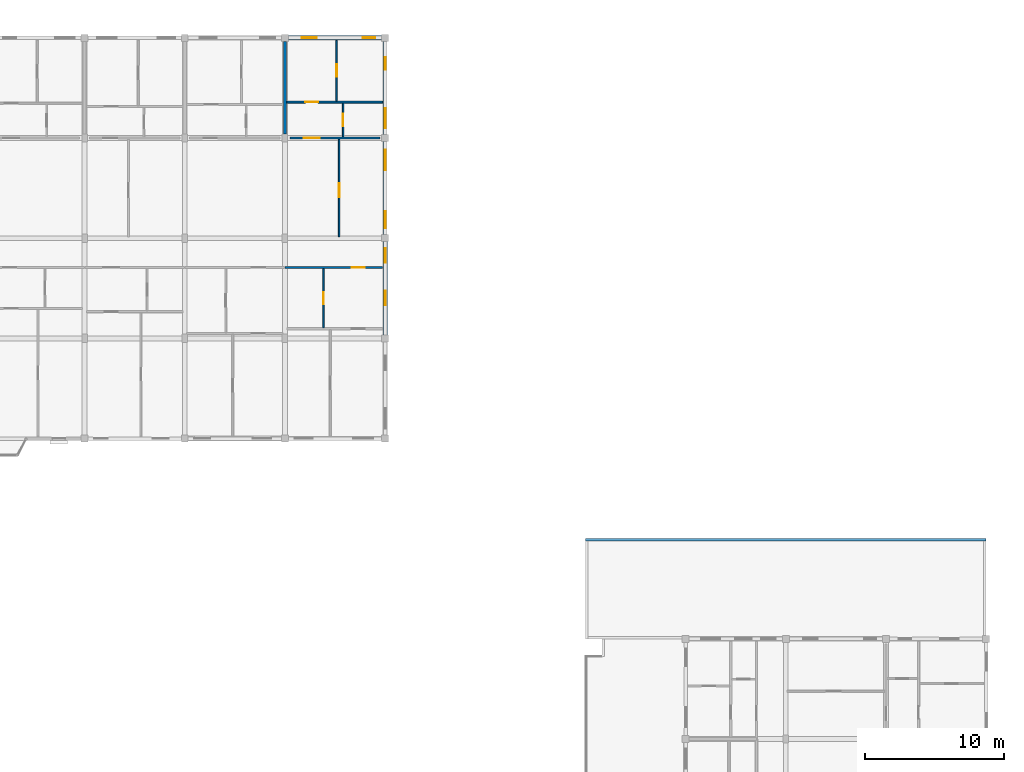
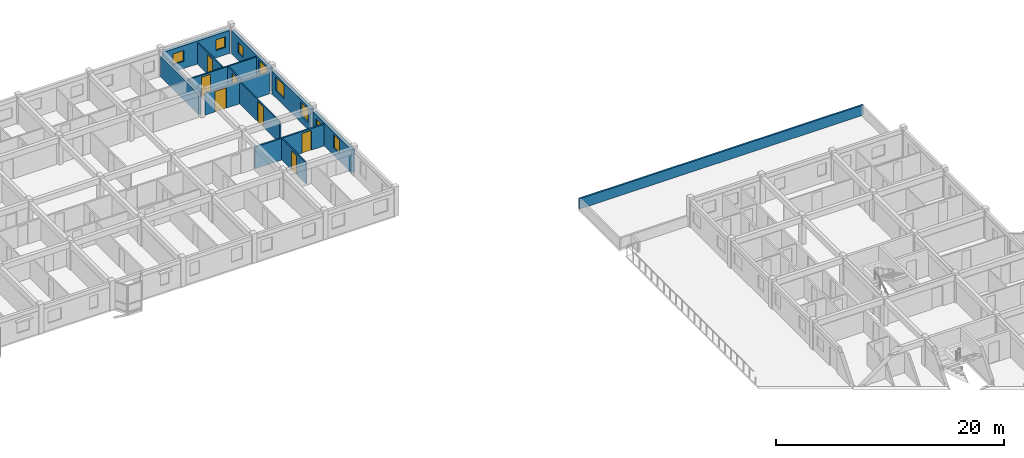
# One storey, part 65 of 70: 13 walls, 8 windows, 7 doors, 15 openings.
"""IFC4 building model written with IfcOpenShell, lengths in metres."""

from ifc_helpers import new_model, si_unit, direction, frame, frame_2d, origin, place, context, subcontext, project, spatial, rectangle, extrude, material, layer, layer_set, type_object, element, fill, save


model = new_model("IFC4")

# Units and contexts
model_context = context("Model", 3, precision=1e-05, world=origin(), true_north=direction((0.0, 1.0)))
body_context = subcontext(model_context, "Body", "Model", "MODEL_VIEW")
ifc_project = project(units=[si_unit("LENGTHUNIT", "METRE"), si_unit("AREAUNIT", "SQUARE_METRE"), si_unit("VOLUMEUNIT", "CUBIC_METRE"), si_unit("PLANEANGLEUNIT", "RADIAN"), si_unit("MASSUNIT", "GRAM", prefix="KILO"), si_unit("THERMODYNAMICTEMPERATUREUNIT", "KELVIN"), si_unit("POWERUNIT", "WATT")], contexts=[model_context])

# Site, building, storey
site_placement = place(None, origin())
site = spatial("IfcSite", under=ifc_project, at=site_placement, CompositionType="ELEMENT")
building_placement = place(site_placement, origin())
building = spatial("IfcBuilding", under=site, at=building_placement, Name="Tavuni Mirador Residences", CompositionType="ELEMENT")
storey_placement = place(building_placement, frame((0.0, 0.0, 23.39990234375)))
storey = spatial("IfcBuildingStorey", under=building, at=storey_placement, Name="L07", CompositionType="ELEMENT", Elevation=23.39990234375)

# Wall, opening, door
ifc_material_1 = material(Name="Precast concrete C40/50", Category="concrete")
ifc_layer_1 = layer(ifc_material_1, 0.1650390625, Name="Precast concrete C40/50", Category="concrete")
ifc_layer_set_1 = layer_set([ifc_layer_1], Name="Precast concrete C40/50")
wall_type_1 = type_object("IfcWallType", Name="WT-CORR165", PredefinedType="PARTITIONING", material=ifc_layer_set_1)
wall_1_placement = place(storey_placement, frame((68.419921875, 156.300048828125, 0.0), z_axis=(0.0, 0.0, 1.0), x_axis=(1.0, 0.0, 0.0)))
wall_1 = element("IfcWall", 1, at=wall_1_placement, inside=storey, type_object=wall_type_1, Name="CORW-BLK-C-L07-0-08", PredefinedType="PARTITIONING", context=body_context, shape_type="SweptSolid", body=[
    extrude(rectangle(XDim=7.005126953125, YDim=0.1650390625, at=frame_2d((3.50244140625, 0.0))), origin(), (0.0, 0.0, 1.0), 2.320068359375),
])
opening_1_placement = place(wall_1_placement, frame((4.780029296875, 0.0, 0.0)))
opening_1 = element("IfcOpeningElement", 2, at=opening_1_placement, cuts=wall_1, Name="Opening D-19", PredefinedType="OPENING", context=body_context, shape_type="SweptSolid", body=[
    extrude(rectangle(XDim=0.93994140625, YDim=2.1201171875, at=frame_2d((0.469970703125, 1.06005859375))), frame((0.0, 0.092529296875, 0.0), z_axis=(0.0, -1.0, 0.0), x_axis=(1.0, 0.0, 0.0)), (0.0, 0.0, 1.0), 0.18505859375),
])
ifc_material_2 = material(Name="Solid core iroko timber", Category="wood")
door_type_1 = type_object("IfcDoorType", Name="DT-FD60-940", OperationType="NOTDEFINED", PredefinedType="DOOR", material=ifc_material_2)
door_1_placement = place(opening_1_placement, origin())
door_1 = element("IfcDoor", 3, at=door_1_placement, inside=storey, type_object=door_type_1, Name="DR-2731", OperationType="SINGLE_SWING_RIGHT", OverallHeight=2.1201171875, OverallWidth=0.93994140625, PredefinedType="DOOR", context=body_context, shape_type="SweptSolid", body=[
    extrude(rectangle(XDim=0.93994140625, YDim=2.1201171875, at=frame_2d((0.469970703125, 1.06005859375))), frame((0.0, 0.02490234375, 0.0), z_axis=(0.0, -1.0, 0.0), x_axis=(1.0, 0.0, 0.0)), (0.0, 0.0, 1.0), 0.050048828125),
])
fill(opening_1, door_1)

wall_2_placement = place(storey_placement, frame((68.75, 165.60009765625, 0.0), z_axis=(0.0, 0.0, 1.0), x_axis=(1.0, 0.0, 0.0)))
wall_2 = element("IfcWall", 4, at=wall_2_placement, inside=storey, type_object=wall_type_1, Name="CORW-BLK-C-L07-1-08", PredefinedType="PARTITIONING", context=body_context, shape_type="SweptSolid", body=[
    extrude(rectangle(XDim=6.5, YDim=0.1650390625, at=frame_2d((3.25, 0.0))), origin(), (0.0, 0.0, 1.0), 2.320068359375),
])
opening_2_placement = place(wall_2_placement, frame((1.0, 0.0, 0.0)))
opening_2 = element("IfcOpeningElement", 5, at=opening_2_placement, cuts=wall_2, Name="Opening D-20", PredefinedType="OPENING", context=body_context, shape_type="SweptSolid", body=[
    extrude(rectangle(XDim=1.139892578125, YDim=2.179931640625, at=frame_2d((0.56982421875, 1.08984375))), frame((0.0, 0.092529296875, 0.0), z_axis=(0.0, -1.0, 0.0), x_axis=(1.0, 0.0, 0.0)), (0.0, 0.0, 1.0), 0.18505859375),
])
door_type_2 = type_object("IfcDoorType", Name="DT-FD60-1140", OperationType="NOTDEFINED", PredefinedType="DOOR", material=ifc_material_2)
door_2_placement = place(opening_2_placement, origin())
door_2 = element("IfcDoor", 6, at=door_2_placement, inside=storey, type_object=door_type_2, Name="DR-2738", OperationType="SINGLE_SWING_LEFT", OverallHeight=2.179931640625, OverallWidth=1.139892578125, PredefinedType="DOOR", context=body_context, shape_type="SweptSolid", body=[
    extrude(rectangle(XDim=1.139892578125, YDim=2.179931640625, at=frame_2d((0.56982421875, 1.08984375))), frame((0.0, 0.02490234375, 0.0), z_axis=(0.0, -1.0, 0.0), x_axis=(1.0, 0.0, 0.0)), (0.0, 0.0, 1.0), 0.050048828125),
])
fill(opening_2, door_2)

# Wall, openings, windows
ifc_material_3 = material(Name="Sgraffito lime-rendered precast concrete C40/50", Category="concrete")
ifc_layer_2 = layer(ifc_material_3, 0.2900390625, Name="Sgraffito lime-rendered precast concrete C40/50", Category="concrete")
ifc_layer_set_2 = layer_set([ifc_layer_2], Name="Sgraffito lime-rendered precast concrete C40/50")
wall_type_2 = type_object("IfcWallType", Name="WT-EXT-PC290", PredefinedType="SOLIDWALL", material=ifc_layer_set_2)
wall_3_placement = place(storey_placement, frame((75.60009765625, 165.85009765625, 0.0), z_axis=(0.0, 0.0, 1.0), x_axis=(0.0, 1.0, 0.0)))
wall_3 = element("IfcWall", 7, at=wall_3_placement, inside=storey, type_object=wall_type_2, Name="EW-BLK-C-L07-E03", PredefinedType="SOLIDWALL", context=body_context, shape_type="SweptSolid", body=[
    extrude(rectangle(XDim=6.699951171875, YDim=0.2900390625, at=frame_2d((3.35009765625, 0.0))), origin(), (0.0, 0.0, 1.0), 2.455078125),
])
opening_3_placement = place(wall_3_placement, frame((0.449951171875, 0.0, 0.780029296875)))
opening_3 = element("IfcOpeningElement", 8, at=opening_3_placement, cuts=wall_3, Name="Opening WN-30", PredefinedType="OPENING", context=body_context, shape_type="SweptSolid", body=[
    extrude(rectangle(XDim=1.449951171875, YDim=1.43994140625, at=frame_2d((0.72509765625, 0.719970703125))), frame((0.0, 0.155029296875, 0.0), z_axis=(0.0, -1.0, 0.0), x_axis=(1.0, 0.0, 0.0)), (0.0, 0.0, 1.0), 0.31005859375),
])
opening_4_placement = place(wall_3_placement, frame((4.64990234375, 0.0, 0.780029296875)))
opening_4 = element("IfcOpeningElement", 9, at=opening_4_placement, cuts=wall_3, Name="Opening WN-02", PredefinedType="OPENING", context=body_context, shape_type="SweptSolid", body=[
    extrude(rectangle(XDim=0.919921875, YDim=1.14990234375, at=frame_2d((0.4599609375, 0.574951171875))), frame((0.0, 0.155029296875, 0.0), z_axis=(0.0, -1.0, 0.0), x_axis=(1.0, 0.0, 0.0)), (0.0, 0.0, 1.0), 0.31005859375),
])
ifc_material_4 = material(Name="Laminated solar-control glass", Category="glass")
window_type_1 = type_object("IfcWindowType", Name="WNT-02", PartitioningType="SINGLE_PANEL", PredefinedType="WINDOW", material=ifc_material_4)
window_1_placement = place(opening_4_placement, origin())
window_1 = element("IfcWindow", 10, at=window_1_placement, inside=storey, type_object=window_type_1, Name="WIN-1163", OverallHeight=1.14990234375, OverallWidth=0.919921875, PartitioningType="SINGLE_PANEL", PredefinedType="WINDOW", context=body_context, shape_type="SweptSolid", body=[
    extrude(rectangle(XDim=0.919921875, YDim=1.14990234375, at=frame_2d((0.4599609375, 0.574951171875))), frame((0.0, 0.030029296875, 0.0), z_axis=(0.0, -1.0, 0.0), x_axis=(1.0, 0.0, 0.0)), (0.0, 0.0, 1.0), 0.06005859375),
])
fill(opening_4, window_1)
window_type_2 = type_object("IfcWindowType", Name="WNT-30", PartitioningType="SINGLE_PANEL", PredefinedType="WINDOW", material=ifc_material_4)
window_2_placement = place(opening_3_placement, origin())
window_2 = element("IfcWindow", 11, at=window_2_placement, inside=storey, type_object=window_type_2, Name="WIN-1162", OverallHeight=1.43994140625, OverallWidth=1.449951171875, PartitioningType="SINGLE_PANEL", PredefinedType="WINDOW", context=body_context, shape_type="SweptSolid", body=[
    extrude(rectangle(XDim=1.449951171875, YDim=1.43994140625, at=frame_2d((0.72509765625, 0.719970703125))), frame((0.0, 0.030029296875, 0.0), z_axis=(0.0, -1.0, 0.0), x_axis=(1.0, 0.0, 0.0)), (0.0, 0.0, 1.0), 0.06005859375),
])
fill(opening_3, window_2)

ifc_layer_3 = layer(ifc_material_3, 0.304931640625, Name="Sgraffito lime-rendered precast concrete C40/50", Category="concrete")
ifc_layer_set_3 = layer_set([ifc_layer_3], Name="Sgraffito lime-rendered precast concrete C40/50")
wall_type_3 = type_object("IfcWallType", Name="WT-EXT-PC305", PredefinedType="SOLIDWALL", material=ifc_layer_set_3)
wall_4_placement = place(storey_placement, frame((75.60009765625, 158.64990234375, 0.0), z_axis=(0.0, 0.0, 1.0), x_axis=(0.0, 1.0, 0.0)))
wall_4 = element("IfcWall", 12, at=wall_4_placement, inside=storey, type_object=wall_type_3, Name="EW-BLK-C-L07-E02", PredefinedType="SOLIDWALL", context=body_context, shape_type="SweptSolid", body=[
    extrude(rectangle(XDim=6.7001953125, YDim=0.304931640625, at=frame_2d((3.35009765625, 0.0))), origin(), (0.0, 0.0, 1.0), 2.455078125),
])
opening_5_placement = place(wall_4_placement, frame((0.449951171875, 0.0, 0.780029296875)))
opening_5 = element("IfcOpeningElement", 13, at=opening_5_placement, cuts=wall_4, Name="Opening WN-28", PredefinedType="OPENING", context=body_context, shape_type="SweptSolid", body=[
    extrude(rectangle(XDim=1.25, YDim=1.43994140625, at=frame_2d((0.625, 0.719970703125))), frame((0.0, 0.16259765625, 0.0), z_axis=(0.0, -1.0, 0.0), x_axis=(1.0, 0.0, 0.0)), (0.0, 0.0, 1.0), 0.324951171875),
])
opening_6_placement = place(wall_4_placement, frame((4.64990234375, 0.0, 0.780029296875)))
opening_6 = element("IfcOpeningElement", 14, at=opening_6_placement, cuts=wall_4, Name="Opening WN-30", PredefinedType="OPENING", context=body_context, shape_type="SweptSolid", body=[
    extrude(rectangle(XDim=1.449951171875, YDim=1.43994140625, at=frame_2d((0.72509765625, 0.719970703125))), frame((0.0, 0.16259765625, 0.0), z_axis=(0.0, -1.0, 0.0), x_axis=(1.0, 0.0, 0.0)), (0.0, 0.0, 1.0), 0.324951171875),
])
window_type_3 = type_object("IfcWindowType", Name="WNT-28", PartitioningType="SINGLE_PANEL", PredefinedType="WINDOW", material=ifc_material_4)
window_3_placement = place(opening_5_placement, origin())
window_3 = element("IfcWindow", 15, at=window_3_placement, inside=storey, type_object=window_type_3, Name="WIN-1160", OverallHeight=1.43994140625, OverallWidth=1.25, PartitioningType="SINGLE_PANEL", PredefinedType="WINDOW", context=body_context, shape_type="SweptSolid", body=[
    extrude(rectangle(XDim=1.25, YDim=1.43994140625, at=frame_2d((0.625, 0.719970703125))), frame((0.0, 0.030029296875, 0.0), z_axis=(0.0, -1.0, 0.0), x_axis=(1.0, 0.0, 0.0)), (0.0, 0.0, 1.0), 0.06005859375),
])
fill(opening_5, window_3)
window_4_placement = place(opening_6_placement, origin())
window_4 = element("IfcWindow", 16, at=window_4_placement, inside=storey, type_object=window_type_2, Name="WIN-1161", OverallHeight=1.43994140625, OverallWidth=1.449951171875, PartitioningType="SINGLE_PANEL", PredefinedType="WINDOW", context=body_context, shape_type="SweptSolid", body=[
    extrude(rectangle(XDim=1.449951171875, YDim=1.43994140625, at=frame_2d((0.72509765625, 0.719970703125))), frame((0.0, 0.030029296875, 0.0), z_axis=(0.0, -1.0, 0.0), x_axis=(1.0, 0.0, 0.0)), (0.0, 0.0, 1.0), 0.06005859375),
])
fill(opening_6, window_4)

ifc_layer_4 = layer(ifc_material_3, 0.31494140625, Name="Sgraffito lime-rendered precast concrete C40/50", Category="concrete")
ifc_layer_set_4 = layer_set([ifc_layer_4], Name="Sgraffito lime-rendered precast concrete C40/50")
wall_type_4 = type_object("IfcWallType", Name="WT-EXT-PC315", PredefinedType="SOLIDWALL", material=ifc_layer_set_4)
wall_5_placement = place(storey_placement, frame((75.60009765625, 151.449951171875, 0.0), z_axis=(0.0, 0.0, 1.0), x_axis=(0.0, 1.0, 0.0)))
wall_5 = element("IfcWall", 17, at=wall_5_placement, inside=storey, type_object=wall_type_4, Name="EW-BLK-C-L07-E01", PredefinedType="SOLIDWALL", context=body_context, shape_type="SweptSolid", body=[
    extrude(rectangle(XDim=6.699951171875, YDim=0.31494140625, at=frame_2d((3.35009765625, 0.0))), origin(), (0.0, 0.0, 1.0), 2.455078125),
])
opening_7_placement = place(wall_5_placement, frame((2.1201171875, 0.0, 0.780029296875)))
opening_7 = element("IfcOpeningElement", 18, at=opening_7_placement, cuts=wall_5, Name="Opening WN-26", PredefinedType="OPENING", context=body_context, shape_type="SweptSolid", body=[
    extrude(rectangle(XDim=1.050048828125, YDim=1.43994140625, at=frame_2d((0.52490234375, 0.719970703125))), frame((0.0, 0.16748046875, 0.0), z_axis=(0.0, -1.0, 0.0), x_axis=(1.0, 0.0, 0.0)), (0.0, 0.0, 1.0), 0.3349609375),
])
opening_8_placement = place(wall_5_placement, frame((5.18505859375, 0.0, 0.780029296875)))
opening_8 = element("IfcOpeningElement", 19, at=opening_8_placement, cuts=wall_5, Name="Opening WN-11", PredefinedType="OPENING", context=body_context, shape_type="SweptSolid", body=[
    extrude(rectangle(XDim=1.0400390625, YDim=1.260009765625, at=frame_2d((0.52001953125, 0.6298828125))), frame((0.0, 0.16748046875, 0.0), z_axis=(0.0, -1.0, 0.0), x_axis=(1.0, 0.0, 0.0)), (0.0, 0.0, 1.0), 0.3349609375),
])
window_type_4 = type_object("IfcWindowType", Name="WNT-11", PartitioningType="SINGLE_PANEL", PredefinedType="WINDOW", material=ifc_material_4)
window_5_placement = place(opening_8_placement, origin())
window_5 = element("IfcWindow", 20, at=window_5_placement, inside=storey, type_object=window_type_4, Name="WIN-1159", OverallHeight=1.260009765625, OverallWidth=1.0400390625, PartitioningType="SINGLE_PANEL", PredefinedType="WINDOW", context=body_context, shape_type="SweptSolid", body=[
    extrude(rectangle(XDim=1.0400390625, YDim=1.260009765625, at=frame_2d((0.52001953125, 0.6298828125))), frame((0.0, 0.030029296875, 0.0), z_axis=(0.0, -1.0, 0.0), x_axis=(1.0, 0.0, 0.0)), (0.0, 0.0, 1.0), 0.06005859375),
])
fill(opening_8, window_5)
window_type_5 = type_object("IfcWindowType", Name="WNT-26", PartitioningType="SINGLE_PANEL", PredefinedType="WINDOW", material=ifc_material_4)
window_6_placement = place(opening_7_placement, origin())
window_6 = element("IfcWindow", 21, at=window_6_placement, inside=storey, type_object=window_type_5, Name="WIN-1158", OverallHeight=1.43994140625, OverallWidth=1.050048828125, PartitioningType="SINGLE_PANEL", PredefinedType="WINDOW", context=body_context, shape_type="SweptSolid", body=[
    extrude(rectangle(XDim=1.050048828125, YDim=1.43994140625, at=frame_2d((0.52490234375, 0.719970703125))), frame((0.0, 0.030029296875, 0.0), z_axis=(0.0, -1.0, 0.0), x_axis=(1.0, 0.0, 0.0)), (0.0, 0.0, 1.0), 0.06005859375),
])
fill(opening_7, window_6)

wall_6_placement = place(storey_placement, frame((75.35009765625, 172.800048828125, 0.0), z_axis=(0.0, 0.0, 1.0), x_axis=(-1.0, 0.0, 0.0)))
wall_6 = element("IfcWall", 22, at=wall_6_placement, inside=storey, type_object=wall_type_4, Name="EW-BLK-C-L07-N08", PredefinedType="SOLIDWALL", context=body_context, shape_type="SweptSolid", body=[
    extrude(rectangle(XDim=6.7001953125, YDim=0.31494140625, at=frame_2d((3.35009765625, 0.0))), origin(), (0.0, 0.0, 1.0), 2.455078125),
])
opening_9_placement = place(wall_6_placement, frame((0.449951171875, 0.0, 0.780029296875)))
opening_9 = element("IfcOpeningElement", 23, at=opening_9_placement, cuts=wall_6, Name="Opening WN-02", PredefinedType="OPENING", context=body_context, shape_type="SweptSolid", body=[
    extrude(rectangle(XDim=0.919921875, YDim=1.14990234375, at=frame_2d((0.4599609375, 0.574951171875))), frame((0.0, 0.16748046875, 0.0), z_axis=(0.0, -1.0, 0.0), x_axis=(1.0, 0.0, 0.0)), (0.0, 0.0, 1.0), 0.3349609375),
])
opening_10_placement = place(wall_6_placement, frame((4.64990234375, 0.0, 0.780029296875)))
opening_10 = element("IfcOpeningElement", 24, at=opening_10_placement, cuts=wall_6, Name="Opening WN-04", PredefinedType="OPENING", context=body_context, shape_type="SweptSolid", body=[
    extrude(rectangle(XDim=1.080078125, YDim=1.14990234375, at=frame_2d((0.5400390625, 0.574951171875))), frame((0.0, 0.16748046875, 0.0), z_axis=(0.0, -1.0, 0.0), x_axis=(1.0, 0.0, 0.0)), (0.0, 0.0, 1.0), 0.3349609375),
])
window_7_placement = place(opening_9_placement, origin())
window_7 = element("IfcWindow", 25, at=window_7_placement, inside=storey, type_object=window_type_1, Name="WIN-1164", OverallHeight=1.14990234375, OverallWidth=0.919921875, PartitioningType="SINGLE_PANEL", PredefinedType="WINDOW", context=body_context, shape_type="SweptSolid", body=[
    extrude(rectangle(XDim=0.919921875, YDim=1.14990234375, at=frame_2d((0.4599609375, 0.574951171875))), frame((0.0, 0.030029296875, 0.0), z_axis=(0.0, -1.0, 0.0), x_axis=(1.0, 0.0, 0.0)), (0.0, 0.0, 1.0), 0.06005859375),
])
fill(opening_9, window_7)
window_type_6 = type_object("IfcWindowType", Name="WNT-04", PartitioningType="SINGLE_PANEL", PredefinedType="WINDOW", material=ifc_material_4)
window_8_placement = place(opening_10_placement, origin())
window_8 = element("IfcWindow", 26, at=window_8_placement, inside=storey, type_object=window_type_6, Name="WIN-1165", OverallHeight=1.14990234375, OverallWidth=1.080078125, PartitioningType="SINGLE_PANEL", PredefinedType="WINDOW", context=body_context, shape_type="SweptSolid", body=[
    extrude(rectangle(XDim=1.080078125, YDim=1.14990234375, at=frame_2d((0.5400390625, 0.574951171875))), frame((0.0, 0.030029296875, 0.0), z_axis=(0.0, -1.0, 0.0), x_axis=(1.0, 0.0, 0.0)), (0.0, 0.0, 1.0), 0.06005859375),
])
fill(opening_10, window_8)

# Wall
ifc_layer_5 = layer(ifc_material_1, 0.175048828125, Name="Precast concrete C40/50", Category="concrete")
ifc_layer_set_5 = layer_set([ifc_layer_5], Name="Precast concrete C40/50")
wall_type_5 = type_object("IfcWallType", Name="WT-PAR175", PredefinedType="PARAPET", material=ifc_layer_set_5)
wall_7_placement = place(storey_placement, frame((90.0, 136.71240234375, 0.0), z_axis=(0.0, 0.0, 1.0), x_axis=(1.0, 0.0, 0.0)))
element("IfcWall", 27, at=wall_7_placement, inside=storey, type_object=wall_type_5, Name="Setback roof parapet ROOF-D-L07-N N", PredefinedType="PARAPET", context=body_context, shape_type="SweptSolid", body=[
    extrude(rectangle(XDim=28.800048828125, YDim=0.175048828125, at=frame_2d((14.39990234375, 0.0))), origin(), (0.0, 0.0, 1.0), 1.10009765625),
])

# Wall, opening, door
ifc_material_5 = material(Name="Acoustic gypsum and concrete block partition", Category="concrete")
ifc_layer_6 = layer(ifc_material_5, 0.094970703125, Name="Acoustic gypsum and concrete block partition", Category="concrete")
ifc_layer_set_6 = layer_set([ifc_layer_6], Name="Acoustic gypsum and concrete block partition")
wall_type_6 = type_object("IfcWallType", Name="WT-PART095", PredefinedType="PARTITIONING", material=ifc_layer_set_6)
wall_8_placement = place(storey_placement, frame((71.179931640625, 151.9599609375, 0.0), z_axis=(0.0, 0.0, 1.0), x_axis=(0.0, 1.0, 0.0)))
wall_8 = element("IfcWall", 28, at=wall_8_placement, inside=storey, type_object=wall_type_6, Name="PW-BLK-C-L07-S08-IN1", PredefinedType="PARTITIONING", context=body_context, shape_type="SweptSolid", body=[
    extrude(rectangle(XDim=4.25, YDim=0.094970703125, at=frame_2d((2.125, 0.0))), origin(), (0.0, 0.0, 1.0), 2.320068359375),
])
opening_11_placement = place(wall_8_placement, frame((1.68994140625, 0.0, 0.0)))
opening_11 = element("IfcOpeningElement", 29, at=opening_11_placement, cuts=wall_8, Name="Opening D-10", PredefinedType="OPENING", context=body_context, shape_type="SweptSolid", body=[
    extrude(rectangle(XDim=0.8701171875, YDim=2.050048828125, at=frame_2d((0.43505859375, 1.02490234375))), frame((0.0, 0.0576171875, 0.0), z_axis=(0.0, -1.0, 0.0), x_axis=(1.0, 0.0, 0.0)), (0.0, 0.0, 1.0), 0.114990234375),
])
door_type_3 = type_object("IfcDoorType", Name="DT-WC870", OperationType="NOTDEFINED", PredefinedType="DOOR", material=ifc_material_2)
door_3_placement = place(opening_11_placement, origin())
door_3 = element("IfcDoor", 30, at=door_3_placement, inside=storey, type_object=door_type_3, Name="DR-4067", OperationType="SINGLE_SWING_RIGHT", OverallHeight=2.050048828125, OverallWidth=0.8701171875, PredefinedType="DOOR", context=body_context, shape_type="SweptSolid", body=[
    extrude(rectangle(XDim=0.8701171875, YDim=2.050048828125, at=frame_2d((0.43505859375, 1.02490234375))), frame((0.0, 0.02490234375, 0.0), z_axis=(0.0, -1.0, 0.0), x_axis=(1.0, 0.0, 0.0)), (0.0, 0.0, 1.0), 0.050048828125),
])
fill(opening_11, door_3)

ifc_layer_7 = layer(ifc_material_5, 0.10498046875, Name="Acoustic gypsum and concrete block partition", Category="concrete")
ifc_layer_set_7 = layer_set([ifc_layer_7], Name="Acoustic gypsum and concrete block partition")
wall_type_7 = type_object("IfcWallType", Name="WT-PART105", PredefinedType="PARTITIONING", material=ifc_layer_set_7)
wall_9_placement = place(storey_placement, frame((72.580078125, 165.68994140625, 0.0), z_axis=(0.0, 0.0, 1.0), x_axis=(0.0, 1.0, 0.0)))
wall_9 = element("IfcWall", 31, at=wall_9_placement, inside=storey, type_object=wall_type_7, Name="PW-BLK-C-L07-N08-IN1", PredefinedType="PARTITIONING", context=body_context, shape_type="SweptSolid", body=[
    extrude(rectangle(XDim=2.420166015625, YDim=0.10498046875, at=frame_2d((1.2099609375, 0.0))), origin(), (0.0, 0.0, 1.0), 2.320068359375),
])
opening_12_placement = place(wall_9_placement, frame((0.760009765625, 0.0, 0.0)))
opening_12 = element("IfcOpeningElement", 32, at=opening_12_placement, cuts=wall_9, Name="Opening D-09", PredefinedType="OPENING", context=body_context, shape_type="SweptSolid", body=[
    extrude(rectangle(XDim=0.89990234375, YDim=2.050048828125, at=frame_2d((0.449951171875, 1.02490234375))), frame((0.0, 0.0625, 0.0), z_axis=(0.0, -1.0, 0.0), x_axis=(1.0, 0.0, 0.0)), (0.0, 0.0, 1.0), 0.125),
])
door_type_4 = type_object("IfcDoorType", Name="DT-WC900", OperationType="NOTDEFINED", PredefinedType="DOOR", material=ifc_material_2)
door_4_placement = place(opening_12_placement, origin())
door_4 = element("IfcDoor", 33, at=door_4_placement, inside=storey, type_object=door_type_4, Name="DR-4070", OperationType="SINGLE_SWING_LEFT", OverallHeight=2.050048828125, OverallWidth=0.89990234375, PredefinedType="DOOR", context=body_context, shape_type="SweptSolid", body=[
    extrude(rectangle(XDim=0.89990234375, YDim=2.050048828125, at=frame_2d((0.449951171875, 1.02490234375))), frame((0.0, 0.02490234375, 0.0), z_axis=(0.0, -1.0, 0.0), x_axis=(1.0, 0.0, 0.0)), (0.0, 0.0, 1.0), 0.050048828125),
])
fill(opening_12, door_4)

ifc_layer_8 = layer(ifc_material_5, 0.114990234375, Name="Acoustic gypsum and concrete block partition", Category="concrete")
ifc_layer_set_8 = layer_set([ifc_layer_8], Name="Acoustic gypsum and concrete block partition")
wall_type_8 = type_object("IfcWallType", Name="WT-PART115", PredefinedType="PARTITIONING", material=ifc_layer_set_8)
wall_10_placement = place(storey_placement, frame((72.300048828125, 158.489990234375, 0.0), z_axis=(0.0, 0.0, 1.0), x_axis=(0.0, 1.0, 0.0)))
wall_10 = element("IfcWall", 34, at=wall_10_placement, inside=storey, type_object=wall_type_8, Name="PW-SPN-BLK-C-L07-08", PredefinedType="PARTITIONING", context=body_context, shape_type="SweptSolid", body=[
    extrude(rectangle(XDim=7.02001953125, YDim=0.114990234375, at=frame_2d((3.510009765625, 0.0))), origin(), (0.0, 0.0, 1.0), 2.320068359375),
])
opening_13_placement = place(wall_10_placement, frame((2.85009765625, 0.0, 0.0)))
opening_13 = element("IfcOpeningElement", 35, at=opening_13_placement, cuts=wall_10, Name="Opening D-13", PredefinedType="OPENING", context=body_context, shape_type="SweptSolid", body=[
    extrude(rectangle(XDim=1.02001953125, YDim=2.14990234375, at=frame_2d((0.510009765625, 1.074951171875))), frame((0.0, 0.0673828125, 0.0), z_axis=(0.0, -1.0, 0.0), x_axis=(1.0, 0.0, 0.0)), (0.0, 0.0, 1.0), 0.135009765625),
])
door_type_5 = type_object("IfcDoorType", Name="DT-MTG1020", OperationType="NOTDEFINED", PredefinedType="DOOR", material=ifc_material_2)
door_5_placement = place(opening_13_placement, origin())
door_5 = element("IfcDoor", 36, at=door_5_placement, inside=storey, type_object=door_type_5, Name="DR-4065", OperationType="SINGLE_SWING_RIGHT", OverallHeight=2.14990234375, OverallWidth=1.02001953125, PredefinedType="DOOR", context=body_context, shape_type="SweptSolid", body=[
    extrude(rectangle(XDim=1.02001953125, YDim=2.14990234375, at=frame_2d((0.510009765625, 1.074951171875))), frame((0.0, 0.02490234375, 0.0), z_axis=(0.0, -1.0, 0.0), x_axis=(1.0, 0.0, 0.0)), (0.0, 0.0, 1.0), 0.050048828125),
])
fill(opening_13, door_5)

wall_11_placement = place(storey_placement, frame((72.1201171875, 168.25, 0.0), z_axis=(0.0, 0.0, 1.0), x_axis=(0.0, 1.0, 0.0)))
wall_11 = element("IfcWall", 37, at=wall_11_placement, inside=storey, type_object=wall_type_8, Name="PW-BLK-C-L07-N08-OUT", PredefinedType="PARTITIONING", context=body_context, shape_type="SweptSolid", body=[
    extrude(rectangle(XDim=4.375, YDim=0.114990234375, at=frame_2d((2.1875, 0.0))), origin(), (0.0, 0.0, 1.0), 2.320068359375),
])
opening_14_placement = place(wall_11_placement, frame((1.737548828125, 0.0, 0.0)))
opening_14 = element("IfcOpeningElement", 38, at=opening_14_placement, cuts=wall_11, Name="Opening D-07", PredefinedType="OPENING", context=body_context, shape_type="SweptSolid", body=[
    extrude(rectangle(XDim=0.89990234375, YDim=2.10009765625, at=frame_2d((0.449951171875, 1.050048828125))), frame((0.0, 0.0673828125, 0.0), z_axis=(0.0, -1.0, 0.0), x_axis=(1.0, 0.0, 0.0)), (0.0, 0.0, 1.0), 0.135009765625),
])
door_type_6 = type_object("IfcDoorType", Name="DT-BED900", OperationType="NOTDEFINED", PredefinedType="DOOR", material=ifc_material_2)
door_6_placement = place(opening_14_placement, origin())
door_6 = element("IfcDoor", 39, at=door_6_placement, inside=storey, type_object=door_type_6, Name="DR-4069", OperationType="SINGLE_SWING_RIGHT", OverallHeight=2.10009765625, OverallWidth=0.89990234375, PredefinedType="DOOR", context=body_context, shape_type="SweptSolid", body=[
    extrude(rectangle(XDim=0.89990234375, YDim=2.10009765625, at=frame_2d((0.449951171875, 1.050048828125))), frame((0.0, 0.02490234375, 0.0), z_axis=(0.0, -1.0, 0.0), x_axis=(1.0, 0.0, 0.0)), (0.0, 0.0, 1.0), 0.050048828125),
])
fill(opening_14, door_6)

ifc_layer_9 = layer(ifc_material_5, 0.139892578125, Name="Acoustic gypsum and concrete block partition", Category="concrete")
ifc_layer_set_9 = layer_set([ifc_layer_9], Name="Acoustic gypsum and concrete block partition")
wall_type_9 = type_object("IfcWallType", Name="WT-PART140", PredefinedType="PARTITIONING", material=ifc_layer_set_9)
wall_12_placement = place(storey_placement, frame((68.5400390625, 168.179931640625, 0.0), z_axis=(0.0, 0.0, 1.0), x_axis=(1.0, 0.0, 0.0)))
wall_12 = element("IfcWall", 40, at=wall_12_placement, inside=storey, type_object=wall_type_9, Name="PW-BLK-C-L07-N08-MID", PredefinedType="PARTITIONING", context=body_context, shape_type="SweptSolid", body=[
    extrude(rectangle(XDim=6.885009765625, YDim=0.139892578125, at=frame_2d((3.4423828125, 0.0))), origin(), (0.0, 0.0, 1.0), 2.320068359375),
])
opening_15_placement = place(wall_12_placement, frame((1.31005859375, 0.0, 0.0)))
opening_15 = element("IfcOpeningElement", 41, at=opening_15_placement, cuts=wall_12, Name="Opening D-05", PredefinedType="OPENING", context=body_context, shape_type="SweptSolid", body=[
    extrude(rectangle(XDim=0.949951171875, YDim=2.10009765625, at=frame_2d((0.47509765625, 1.050048828125))), frame((0.0, 0.080078125, 0.0), z_axis=(0.0, -1.0, 0.0), x_axis=(1.0, 0.0, 0.0)), (0.0, 0.0, 1.0), 0.159912109375),
])
door_type_7 = type_object("IfcDoorType", Name="DT-INT950", OperationType="NOTDEFINED", PredefinedType="DOOR", material=ifc_material_2)
door_7_placement = place(opening_15_placement, origin())
door_7 = element("IfcDoor", 42, at=door_7_placement, inside=storey, type_object=door_type_7, Name="DR-4071", OperationType="SINGLE_SWING_LEFT", OverallHeight=2.10009765625, OverallWidth=0.949951171875, PredefinedType="DOOR", context=body_context, shape_type="SweptSolid", body=[
    extrude(rectangle(XDim=0.949951171875, YDim=2.10009765625, at=frame_2d((0.47509765625, 1.050048828125))), frame((0.0, 0.02490234375, 0.0), z_axis=(0.0, -1.0, 0.0), x_axis=(1.0, 0.0, 0.0)), (0.0, 0.0, 1.0), 0.050048828125),
])
fill(opening_15, door_7)

# Wall
ifc_layer_10 = layer(ifc_material_1, 0.235107421875, Name="Precast concrete C40/50", Category="concrete")
ifc_layer_set_10 = layer_set([ifc_layer_10], Name="Precast concrete C40/50")
wall_type_10 = type_object("IfcWallType", Name="WT-XW235", PredefinedType="SOLIDWALL", material=ifc_layer_set_10)
wall_13_placement = place(storey_placement, frame((68.39990234375, 165.89990234375, 0.0), z_axis=(0.0, 0.0, 1.0), x_axis=(0.0, 1.0, 0.0)))
element("IfcWall", 43, at=wall_13_placement, inside=storey, type_object=wall_type_10, Name="XW-BLK-C-L07-N-08", PredefinedType="SOLIDWALL", context=body_context, shape_type="SweptSolid", body=[
    extrude(rectangle(XDim=6.650146484375, YDim=0.235107421875, at=frame_2d((3.3251953125, 0.0))), origin(), (0.0, 0.0, 1.0), 2.18505859375),
])

save(model, "model.ifc")
